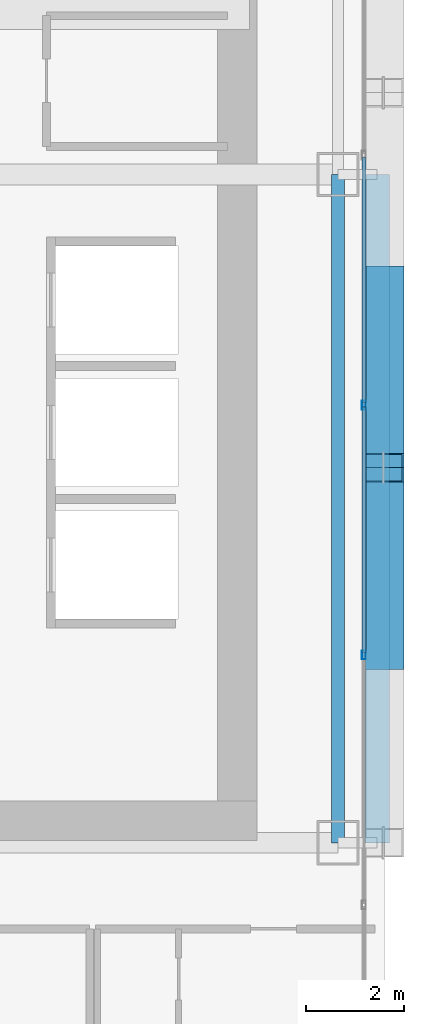
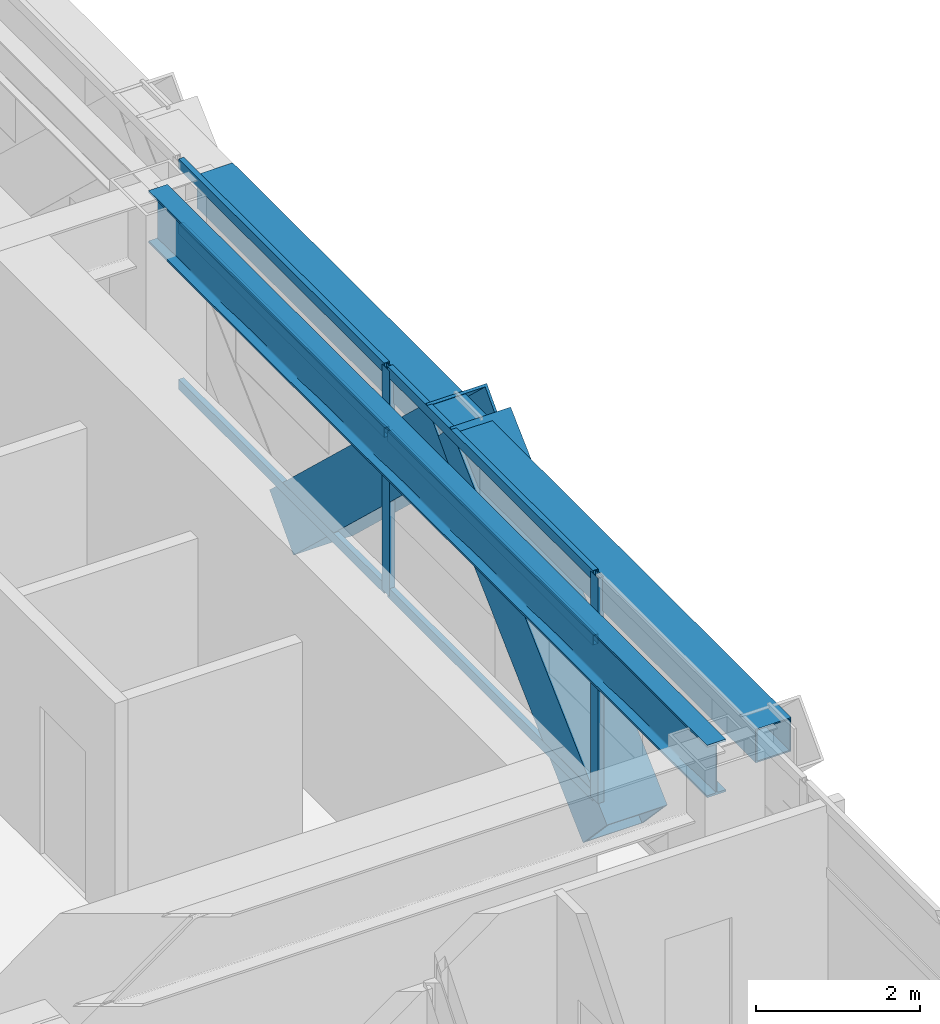
# One storey, part 16 of 41: 10 members, 2 beams, 1 element without a shape of its own.
"""IFC4 building model written with IfcOpenShell, lengths in metres."""

from ifc_helpers import new_model, si_unit, direction, frame, origin, origin_2d, place, context, subcontext, project, spatial, hollow_rectangle, i_section, extrude, source, transform, mapped, material, layer, layer_set, material_profile, profile_set, type_object, element, aggregate, save


model = new_model("IFC4")

# Units and contexts
model_context = context("Model", 3, precision=1e-05, world=origin(), true_north=direction((0.0, 1.0)))
body_context = subcontext(model_context, "Body", "Model", "MODEL_VIEW")
ifc_project = project(units=[si_unit("LENGTHUNIT", "METRE"), si_unit("AREAUNIT", "SQUARE_METRE"), si_unit("VOLUMEUNIT", "CUBIC_METRE"), si_unit("PLANEANGLEUNIT", "RADIAN"), si_unit("MASSUNIT", "GRAM", prefix="KILO")], contexts=[model_context])

# Site, building, storey
site_placement = place(None, origin())
site = spatial("IfcSite", under=ifc_project, at=site_placement, CompositionType="ELEMENT")
building_placement = place(site_placement, origin())
building = spatial("IfcBuilding", under=site, at=building_placement, Name="Ocotamira Hotel", CompositionType="ELEMENT")
storey_placement = place(building_placement, frame((0.0, 0.0, 52.800048828125)))
storey = spatial("IfcBuildingStorey", under=building, at=storey_placement, Name="L12", CompositionType="ELEMENT", Elevation=52.800048828125)

# Beams
ifc_material_1 = material(Name="Steel ASTM A992 Grade 50", Category="steel")
ifc_material_profile_1 = material_profile(ifc_material_1, i_section(OverallWidth=0.26611328125, OverallDepth=0.779052734375, WebThickness=0.0166015625, FlangeThickness=0.030029296875, FilletRadius=0.01806640625, at=origin_2d()), Name="W30X148")
ifc_profile_set_1 = profile_set([ifc_material_profile_1], Name="Steel ASTM A992 Grade 50")
beam_type_1 = type_object("IfcBeamType", Name="BM-GIRD-W30X148", PredefinedType="BEAM", material=ifc_profile_set_1)
shared_shape_1 = source(origin(), body_context, "Body", "SweptSolid", [
    extrude(i_section(OverallWidth=0.26611328125, OverallDepth=0.779052734375, WebThickness=0.0166015625, FlangeThickness=0.030029296875, FilletRadius=0.01806640625, at=origin_2d()), origin(), (0.0, 0.0, 1.0), 13.599853515625),
])
beam_1_placement = place(storey_placement, frame((55.050048828125, 14.550048828125, 2.96044921875), z_axis=(0.0, 1.0, 0.0), x_axis=(-1.0, 0.0, 0.0)))
element("IfcBeam", 1, at=beam_1_placement, inside=storey, type_object=beam_type_1, Name="L12 Beam X55.05 Y14.55-28.15", PredefinedType="BEAM", context=body_context, shape_type="MappedRepresentation", body=[
    mapped(shared_shape_1, transform((0.0, 0.0, 0.0), scale=1.0)),
])
ifc_material_2 = material(Name="Steel ASTM A500 Grade C", Category="steel")
ifc_material_profile_2 = material_profile(ifc_material_2, hollow_rectangle(XDim=0.5, YDim=0.5, WallThickness=0.02001953125, at=origin_2d()), Name="HSS500X500X20")
ifc_profile_set_2 = profile_set([ifc_material_profile_2], Name="Steel ASTM A500 Grade C")
beam_type_2 = type_object("IfcBeamType", Name="BM-SPAN-HSS500", PredefinedType="USERDEFINED", material=ifc_profile_set_2)
shared_shape_2 = source(origin(), body_context, "Body", "SweptSolid", [
    extrude(hollow_rectangle(XDim=0.5, YDim=0.5, WallThickness=0.02001953125, at=origin_2d()), origin(), (0.0, 0.0, 1.0), 13.599853515625),
])
beam_2_placement = place(storey_placement, frame((55.85009765625, 14.550048828125, 3.099853515625), z_axis=(0.0, 1.0, 0.0), x_axis=(-1.0, 0.0, 0.0)))
element("IfcBeam", 2, at=beam_2_placement, inside=storey, type_object=beam_type_2, Name="L12 Edge Spandrel E Y14.55-28.15", ObjectType="SPANDREL", PredefinedType="USERDEFINED", context=body_context, shape_type="MappedRepresentation", body=[
    mapped(shared_shape_2, transform((0.0, 0.0, 0.0), scale=1.0)),
])

# Members
ifc_material_3 = material(Name="Pale-metal coated steel ASTM A913 Grade 65", Category="steel")
ifc_material_profile_3 = material_profile(ifc_material_3, hollow_rectangle(XDim=0.85009765625, YDim=0.85009765625, WallThickness=0.035888671875, at=origin_2d()), Name="BOX850X850X36")
ifc_profile_set_3 = profile_set([ifc_material_profile_3], Name="Pale-metal coated steel ASTM A913 Grade 65")
member_type_1 = type_object("IfcMemberType", Name="MEM-EXO-BOX850", PredefinedType="BRACE", material=ifc_profile_set_3)
shared_shape_3 = source(origin(), body_context, "Body", "SweptSolid", [
    extrude(hollow_rectangle(XDim=0.85009765625, YDim=0.85009765625, WallThickness=0.035888671875, at=origin_2d()), origin(), (0.0, 0.0, 1.0), 5.24658203125),
])
for number, where, z_axis, x_axis, name in (
    (3, (55.969970703125, 18.36669921875, -0.5), (0.0, 0.72746596067, 0.686143772154), (-1.0, 0.0, 0.0), "L12 Exoskeleton Diagrid E0.2"),
    (4, (55.969970703125, 26.0, -0.5), (0.0, -0.72746596067, 0.686143772154), (1.0, 0.0, 0.0), "L12 Exoskeleton Diagrid E1.1"),
):
    element("IfcMember", number, at=place(storey_placement, frame(where, z_axis=z_axis, x_axis=x_axis)), inside=storey, type_object=member_type_1, Name=name, PredefinedType="BRACE", context=body_context, shape_type="MappedRepresentation", body=[
        mapped(shared_shape_3, transform((0.0, 0.0, 0.0), scale=1.0)),
    ])

# Curtain wall, members
ifc_material_4 = material(Name="Anodised pale-metal aluminium and solar glass", Category="aluminium")
ifc_layer = layer(ifc_material_4, 0.179931640625)
ifc_layer_set = layer_set([ifc_layer], Name="Anodised pale-metal aluminium and solar glass")
curtain_wall_type = type_object("IfcCurtainWallType", Name="CW-SYS2-Z1", PredefinedType="NOTDEFINED", material=ifc_layer_set)
curtain_wall_placement = place(storey_placement, origin())
curtain_wall = element("IfcCurtainWall", 5, at=curtain_wall_placement, inside=storey, type_object=curtain_wall_type, Name="L12 Curtain Wall CW-2 CW-L12-E", PredefinedType="NOTDEFINED")
ifc_material_5 = material(Name="Anodised pale-metal aluminium 6063-T6", Category="aluminium")
ifc_material_profile_4 = material_profile(ifc_material_5, hollow_rectangle(XDim=0.080078125, YDim=0.179931640625, WallThickness=0.006103515625, at=origin_2d()), Name="HSS180X80X6")
ifc_profile_set_4 = profile_set([ifc_material_profile_4], Name="Anodised pale-metal aluminium 6063-T6")
member_type_2 = type_object("IfcMemberType", Name="CWM-180X75", PredefinedType="MULLION", material=ifc_profile_set_4)
shared_shape_4 = source(origin(), body_context, "Body", "SweptSolid", [
    extrude(hollow_rectangle(XDim=0.080078125, YDim=0.179931640625, WallThickness=0.006103515625, at=origin_2d()), origin(), (0.0, 0.0, 1.0), 3.349853515625),
])
member_1_placement = place(storey_placement, frame((55.580078125, 18.371337890625, 0.0), z_axis=(0.0, 0.0, 1.0), x_axis=(-1.0, 0.0, 0.0)))
member_1 = element("IfcMember", 6, at=member_1_placement, type_object=member_type_2, Name="CW-2 mullion 3", PredefinedType="MULLION", context=body_context, shape_type="MappedRepresentation", body=[
    mapped(shared_shape_4, transform((0.0, 0.0, 0.0), scale=1.0)),
])
member_2_placement = place(storey_placement, frame((55.580078125, 23.45703125, 0.0), z_axis=(0.0, 0.0, 1.0), x_axis=(-1.0, 0.0, 0.0)))
member_2 = element("IfcMember", 7, at=member_2_placement, type_object=member_type_2, Name="CW-2 mullion 4", PredefinedType="MULLION", context=body_context, shape_type="MappedRepresentation", body=[
    mapped(shared_shape_4, transform((0.0, 0.0, 0.0), scale=1.0)),
])
ifc_material_profile_5 = material_profile(ifc_material_5, hollow_rectangle(XDim=0.074951171875, YDim=0.14990234375, WallThickness=0.006103515625, at=origin_2d()), Name="HSS150X75X6")
ifc_profile_set_5 = profile_set([ifc_material_profile_5], Name="Anodised pale-metal aluminium 6063-T6")
member_type_3 = type_object("IfcMemberType", Name="CWT-150X75", PredefinedType="USERDEFINED", material=ifc_profile_set_5)
shared_shape_5 = source(origin(), body_context, "Body", "SweptSolid", [
    extrude(hollow_rectangle(XDim=0.074951171875, YDim=0.14990234375, WallThickness=0.006103515625, at=origin_2d()), origin(), (0.0, 0.0, 1.0), 5.005859375),
])
member_3_placement = place(storey_placement, frame((55.580078125, 18.411376953125, 0.037353515625), z_axis=(0.0, 1.0, 0.0), x_axis=(-1.0, 0.0, 0.0)))
member_3 = element("IfcMember", 8, at=member_3_placement, type_object=member_type_3, Name="CW-2 transom 3.1", ObjectType="TRANSOM", PredefinedType="USERDEFINED", context=body_context, shape_type="MappedRepresentation", body=[
    mapped(shared_shape_5, transform((0.0, 0.0, 0.0), scale=1.0)),
])
member_4_placement = place(storey_placement, frame((55.580078125, 18.411376953125, 2.349853515625), z_axis=(0.0, 1.0, 0.0), x_axis=(-1.0, 0.0, 0.0)))
member_4 = element("IfcMember", 9, at=member_4_placement, type_object=member_type_3, Name="CW-2 transom 3.2", ObjectType="TRANSOM", PredefinedType="USERDEFINED", context=body_context, shape_type="MappedRepresentation", body=[
    mapped(shared_shape_5, transform((0.0, 0.0, 0.0), scale=1.0)),
])
member_5_placement = place(storey_placement, frame((55.580078125, 18.411376953125, 3.3125), z_axis=(0.0, 1.0, 0.0), x_axis=(-1.0, 0.0, 0.0)))
member_5 = element("IfcMember", 10, at=member_5_placement, type_object=member_type_3, Name="CW-2 transom 3.3", ObjectType="TRANSOM", PredefinedType="USERDEFINED", context=body_context, shape_type="MappedRepresentation", body=[
    mapped(shared_shape_5, transform((0.0, 0.0, 0.0), scale=1.0)),
])
member_6_placement = place(storey_placement, frame((55.580078125, 23.4970703125, 0.037353515625), z_axis=(0.0, 1.0, 0.0), x_axis=(-1.0, 0.0, 0.0)))
member_6 = element("IfcMember", 11, at=member_6_placement, type_object=member_type_3, Name="CW-2 transom 4.1", ObjectType="TRANSOM", PredefinedType="USERDEFINED", context=body_context, shape_type="MappedRepresentation", body=[
    mapped(shared_shape_5, transform((0.0, 0.0, 0.0), scale=1.0)),
])
member_7_placement = place(storey_placement, frame((55.580078125, 23.4970703125, 2.349853515625), z_axis=(0.0, 1.0, 0.0), x_axis=(-1.0, 0.0, 0.0)))
member_7 = element("IfcMember", 12, at=member_7_placement, type_object=member_type_3, Name="CW-2 transom 4.2", ObjectType="TRANSOM", PredefinedType="USERDEFINED", context=body_context, shape_type="MappedRepresentation", body=[
    mapped(shared_shape_5, transform((0.0, 0.0, 0.0), scale=1.0)),
])
member_8_placement = place(storey_placement, frame((55.580078125, 23.4970703125, 3.3125), z_axis=(0.0, 1.0, 0.0), x_axis=(-1.0, 0.0, 0.0)))
member_8 = element("IfcMember", 13, at=member_8_placement, type_object=member_type_3, Name="CW-2 transom 4.3", ObjectType="TRANSOM", PredefinedType="USERDEFINED", context=body_context, shape_type="MappedRepresentation", body=[
    mapped(shared_shape_5, transform((0.0, 0.0, 0.0), scale=1.0)),
])
aggregate(curtain_wall, [member_1, member_2, member_3, member_4, member_5, member_6, member_7, member_8])

save(model, "model.ifc")
